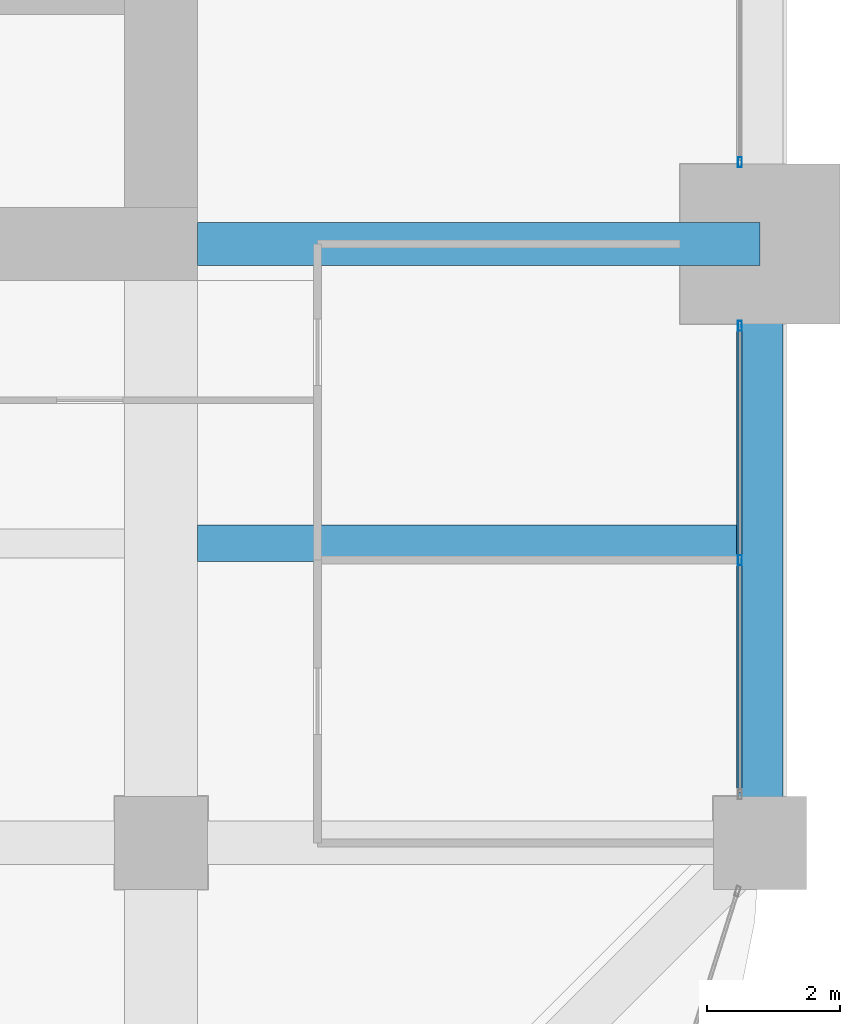
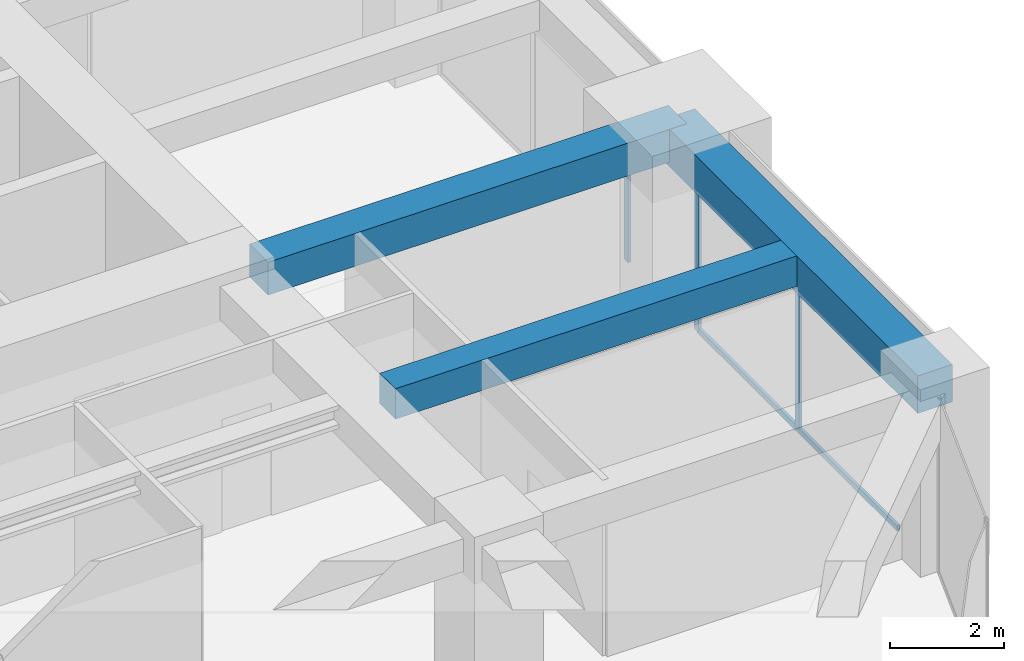
# One storey, part 17 of 32: 4 members, 3 beams, 2 elements without a shape of their own.
"""IFC4 building model written with IfcOpenShell, lengths in metres."""

from ifc_helpers import new_model, si_unit, direction, frame, origin, origin_2d, place, context, subcontext, project, spatial, rectangle, hollow_rectangle, extrude, material, material_profile, profile_set, type_object, element, aggregate, save


model = new_model("IFC4")

# Units and contexts
model_context = context("Model", 3, precision=1e-05, world=origin(), true_north=direction((0.0, 1.0)))
body_context = subcontext(model_context, "Body", "Model", "MODEL_VIEW")
ifc_project = project(units=[si_unit("LENGTHUNIT", "METRE"), si_unit("AREAUNIT", "SQUARE_METRE"), si_unit("VOLUMEUNIT", "CUBIC_METRE"), si_unit("PLANEANGLEUNIT", "RADIAN"), si_unit("MASSUNIT", "GRAM", prefix="KILO")], contexts=[model_context])

# Site, building, storey
site_placement = place(None, origin())
site = spatial("IfcSite", under=ifc_project, at=site_placement, CompositionType="ELEMENT")
building_placement = place(site_placement, origin())
building = spatial("IfcBuilding", under=site, at=building_placement, Name="Zorevar Civic Tower", CompositionType="ELEMENT")
storey_placement = place(building_placement, frame((0.0, 0.0, 198.199951171875)))
storey = spatial("IfcBuildingStorey", under=building, at=storey_placement, Name="L48", CompositionType="ELEMENT", Elevation=198.199951171875)

# Beams
ifc_material_1 = material(Name="Concrete C50/60", Category="concrete")
ifc_material_profile_1 = material_profile(ifc_material_1, rectangle(XDim=0.550048828125, YDim=0.64990234375, at=origin_2d()), Name="RC 550x650")
ifc_profile_set_1 = profile_set([ifc_material_profile_1], Name="Concrete C50/60")
beam_type_1 = type_object("IfcBeamType", Name="Beam RC 550x650", PredefinedType="BEAM", material=ifc_profile_set_1)
beam_1_placement = place(storey_placement, frame((45.550048828125, 13.5, 3.425048828125), z_axis=(1.0, 0.0, 0.0), x_axis=(0.0, 1.0, 0.0)))
element("IfcBeam", 1, at=beam_1_placement, inside=storey, type_object=beam_type_1, Name="Secondary beam L49", PredefinedType="BEAM", context=body_context, shape_type="SweptSolid", body=[
    extrude(rectangle(XDim=0.550048828125, YDim=0.64990234375, at=origin_2d()), origin(), (0.0, 0.0, 1.0), 8.099853515625),
])
ifc_material_2 = material(Name="Concrete C50/60", Category="concrete")
ifc_material_profile_2 = material_profile(ifc_material_2, rectangle(XDim=0.64990234375, YDim=0.699951171875, at=origin_2d()), Name="RC 650x700")
ifc_profile_set_2 = profile_set([ifc_material_profile_2], Name="Concrete C50/60")
beam_type_2 = type_object("IfcBeamType", Name="Beam RC 650x700", PredefinedType="BEAM", material=ifc_profile_set_2)
beam_2_placement = place(storey_placement, frame((45.550048828125, 18.0, 3.400146484375), z_axis=(1.0, 0.0, 0.0), x_axis=(0.0, 1.0, 0.0)))
element("IfcBeam", 2, at=beam_2_placement, inside=storey, type_object=beam_type_2, Name="Girder L49", PredefinedType="BEAM", context=body_context, shape_type="SweptSolid", body=[
    extrude(rectangle(XDim=0.64990234375, YDim=0.699951171875, at=origin_2d()), origin(), (0.0, 0.0, 1.0), 8.449951171875),
])

# Curtain wall, members
ifc_material_3 = material(Name="Dark grey solar-control glass in black aluminium frame", Category="aluminium")
curtain_wall_type = type_object("IfcCurtainWallType", Name="Curtain wall CW4 high zone", PredefinedType="NOTDEFINED", material=ifc_material_3)
curtain_wall_1_placement = place(storey_placement, origin())
curtain_wall_1 = element("IfcCurtainWall", 3, at=curtain_wall_1_placement, inside=storey, type_object=curtain_wall_type, Name="CW4 L48", PredefinedType="NOTDEFINED")
ifc_material_4 = material(Name="Aluminium, black anodised", Category="aluminium")
ifc_material_profile_3 = material_profile(ifc_material_4, hollow_rectangle(XDim=0.06005859375, YDim=0.14990234375, WallThickness=0.00390625, at=origin_2d()), Name="AL 150x60x4")
ifc_profile_set_3 = profile_set([ifc_material_profile_3], Name="Aluminium, black anodised")
member_type_1 = type_object("IfcMemberType", Name="CW4 mullion AL 150x60x4", PredefinedType="MULLION", material=ifc_profile_set_3)
member_1_placement = place(storey_placement, frame((53.699951171875, 13.25, 0.06005859375), z_axis=(0.0, 0.0, 1.0), x_axis=(-1.0, 0.0, 0.0)))
member_1 = element("IfcMember", 4, at=member_1_placement, type_object=member_type_1, Name="CW4 mullion 2", PredefinedType="MULLION", context=body_context, shape_type="SweptSolid", body=[
    extrude(hollow_rectangle(XDim=0.06005859375, YDim=0.14990234375, WallThickness=0.00390625, at=origin_2d()), origin(), (0.0, 0.0, 1.0), 2.889892578125),
])
member_2_placement = place(storey_placement, frame((53.699951171875, 16.77001953125, 0.0), z_axis=(0.0, 0.0, 1.0), x_axis=(-1.0, 0.0, 0.0)))
member_2 = element("IfcMember", 5, at=member_2_placement, type_object=member_type_1, Name="CW4 mullion 3", PredefinedType="MULLION", context=body_context, shape_type="SweptSolid", body=[
    extrude(hollow_rectangle(XDim=0.06005859375, YDim=0.14990234375, WallThickness=0.00390625, at=origin_2d()), origin(), (0.0, 0.0, 1.0), 2.949951171875),
])

# Curtain wall, member
curtain_wall_2_placement = place(storey_placement, origin())
curtain_wall_2 = element("IfcCurtainWall", 6, at=curtain_wall_2_placement, inside=storey, type_object=curtain_wall_type, Name="CW4 L48", PredefinedType="NOTDEFINED")
member_3_placement = place(storey_placement, frame((53.699951171875, 19.22998046875, 0.0), z_axis=(0.0, 0.0, 1.0), x_axis=(-1.0, 0.0, 0.0)))
member_3 = element("IfcMember", 7, at=member_3_placement, type_object=member_type_1, Name="CW4 mullion 1", PredefinedType="MULLION", context=body_context, shape_type="SweptSolid", body=[
    extrude(hollow_rectangle(XDim=0.06005859375, YDim=0.14990234375, WallThickness=0.00390625, at=origin_2d()), origin(), (0.0, 0.0, 1.0), 2.949951171875),
])
aggregate(curtain_wall_2, [member_3])

# Member
ifc_material_5 = material(Name="Aluminium, black anodised", Category="aluminium")
ifc_material_profile_4 = material_profile(ifc_material_5, hollow_rectangle(XDim=0.06005859375, YDim=0.1201171875, WallThickness=0.0029296875, at=origin_2d()), Name="AL 120x60x3")
ifc_profile_set_4 = profile_set([ifc_material_profile_4], Name="Aluminium, black anodised")
member_type_2 = type_object("IfcMemberType", Name="CW4 transom AL 120x60x3", PredefinedType="USERDEFINED", material=ifc_profile_set_4)
member_4_placement = place(storey_placement, frame((53.699951171875, 9.760009765625, 0.030029296875), z_axis=(0.0, 1.0, 0.0), x_axis=(-1.0, 0.0, 0.0)))
member_4 = element("IfcMember", 8, at=member_4_placement, type_object=member_type_2, Name="CW4 sill transom", ObjectType="TRANSOM", PredefinedType="USERDEFINED", context=body_context, shape_type="SweptSolid", body=[
    extrude(hollow_rectangle(XDim=0.06005859375, YDim=0.1201171875, WallThickness=0.0029296875, at=origin_2d()), origin(), (0.0, 0.0, 1.0), 6.97998046875),
])

aggregate(curtain_wall_1, [member_1, member_2, member_4])

# Beam
ifc_material_6 = material(Name="Concrete C50/60", Category="concrete")
ifc_material_profile_5 = material_profile(ifc_material_6, rectangle(XDim=0.699951171875, YDim=0.800048828125, at=origin_2d()), Name="RC 700x800")
ifc_profile_set_5 = profile_set([ifc_material_profile_5], Name="Concrete C50/60")
beam_type_3 = type_object("IfcBeamType", Name="Edge beam RC 700x800", PredefinedType="SPANDREL", material=ifc_profile_set_5)
beam_3_placement = place(storey_placement, frame((54.0, 9.0, 3.35009765625), z_axis=(0.0, 1.0, 0.0), x_axis=(-1.0, 0.0, 0.0)))
element("IfcBeam", 9, at=beam_3_placement, inside=storey, type_object=beam_type_3, Name="Edge beam L49", PredefinedType="SPANDREL", context=body_context, shape_type="SweptSolid", body=[
    extrude(rectangle(XDim=0.699951171875, YDim=0.800048828125, at=origin_2d()), origin(), (0.0, 0.0, 1.0), 9.0),
])

save(model, "model.ifc")
